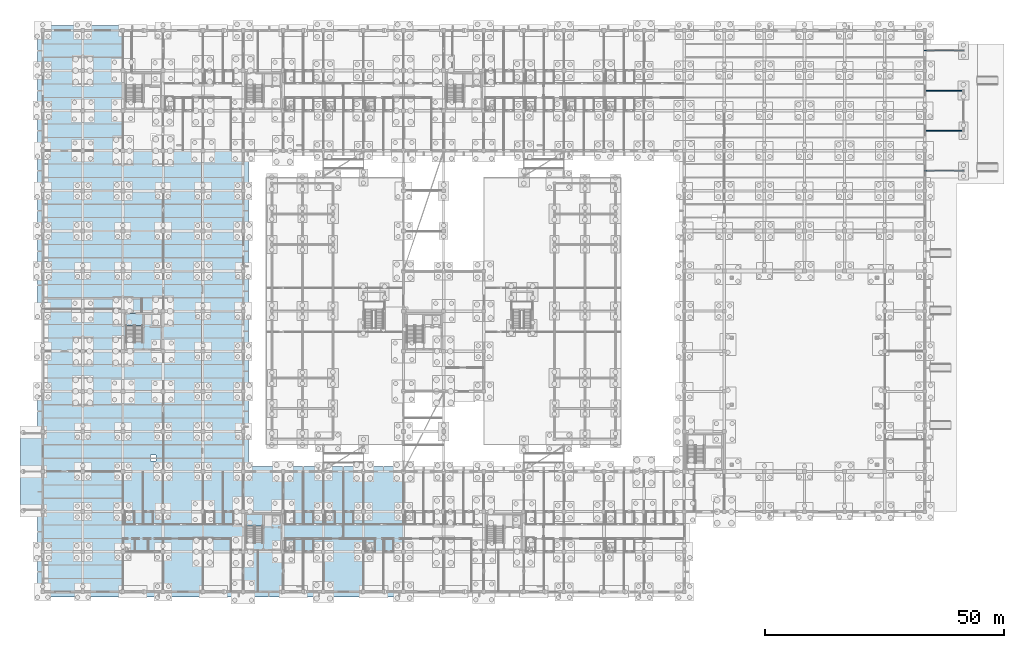
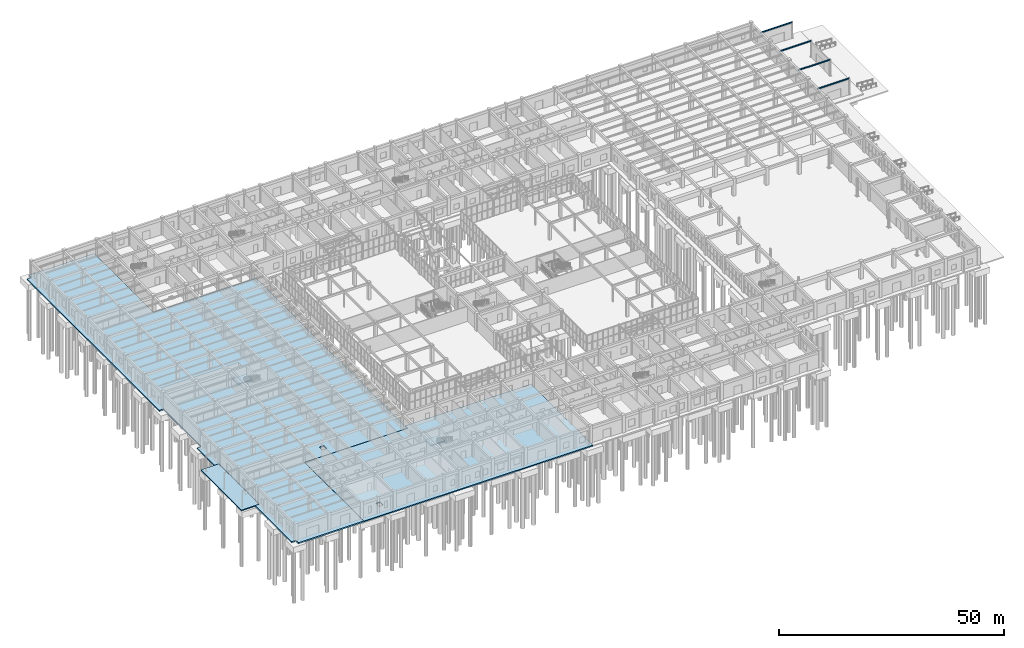
# One storey, part 135 of 192: 5 slabs, 4 beams, 2 elements without a shape of their own.
"""IFC4 building model written with IfcOpenShell, lengths in metres."""

from ifc_helpers import new_model, si_unit, direction, frame, origin, origin_2d, place, context, subcontext, project, spatial, polyline, i_section, outline, extrude, material, layer, layer_set, material_profile, profile_set, type_object, element, aggregate, save


model = new_model("IFC4")

# Units and contexts
model_context = context("Model", 3, precision=1e-05, world=origin(), true_north=direction((0.0, 1.0)))
body_context = subcontext(model_context, "Body", "Model", "MODEL_VIEW")
ifc_project = project(units=[si_unit("LENGTHUNIT", "METRE"), si_unit("AREAUNIT", "SQUARE_METRE"), si_unit("VOLUMEUNIT", "CUBIC_METRE"), si_unit("PLANEANGLEUNIT", "RADIAN"), si_unit("MASSUNIT", "GRAM", prefix="KILO")], contexts=[model_context])

# Site, building, storey
site_placement = place(None, origin())
site = spatial("IfcSite", under=ifc_project, at=site_placement, CompositionType="ELEMENT")
building_placement = place(site_placement, origin())
building = spatial("IfcBuilding", under=site, at=building_placement, Name="Trelvath General Hospital", CompositionType="ELEMENT")
storey_placement = place(building_placement, origin())
storey = spatial("IfcBuildingStorey", under=building, at=storey_placement, Name="L00", CompositionType="ELEMENT", Elevation=0.0)

# Beams
ifc_material_1 = material(Name="Steel S355", Category="steel")
ifc_material_profile = material_profile(ifc_material_1, i_section(OverallWidth=0.169921875, OverallDepth=0.360107421875, WebThickness=0.008056640625, FlangeThickness=0.0126953125, at=origin_2d()), Name="IPE360")
ifc_profile_set = profile_set([ifc_material_profile], Name="Steel S355")
beam_type = type_object("IfcBeamType", Name="CanopyBeam IPE360", PredefinedType="BEAM", material=ifc_profile_set)
for number, where, z_axis, x_axis, name in (
    (1, (184.699951171875, 88.199951171875, 4.320068359375), (1.0, 0.0, 0.0), (0.0, 1.0, 0.0), "Ambulance Canopy Beam Y=88.2m"),
    (2, (184.699951171875, 96.60009765625, 4.320068359375), (1.0, 0.0, 0.0), (0.0, 1.0, 0.0), "Ambulance Canopy Beam Y=96.6m"),
    (3, (184.699951171875, 105.0, 4.320068359375), (1.0, 0.0, 0.0), (0.0, 1.0, 0.0), "Ambulance Canopy Beam Y=105.0m"),
    (4, (184.699951171875, 113.39990234375, 4.320068359375), (1.0, 0.0, 0.0), (0.0, 1.0, 0.0), "Ambulance Canopy Beam Y=113.4m"),
):
    element("IfcBeam", number, at=place(storey_placement, frame(where, z_axis=z_axis, x_axis=x_axis)), inside=storey, type_object=beam_type, Name=name, PredefinedType="BEAM", context=body_context, shape_type="SweptSolid", body=[
        extrude(i_section(OverallWidth=0.169921875, OverallDepth=0.360107421875, WebThickness=0.008056640625, FlangeThickness=0.0126953125, at=origin_2d()), origin(), (0.0, 0.0, 1.0), 8.25),
    ])

# Slabs
ifc_material_2 = material(Name="Concrete C35/45", Category="concrete")
ifc_layer_1 = layer(ifc_material_2, 0.360107421875)
ifc_layer_set_1 = layer_set([ifc_layer_1], Name="Concrete C35/45")
slab_type_1 = type_object("IfcSlabType", Name="BaseSlab Imaging360", PredefinedType="BASESLAB", material=ifc_layer_set_1)
slab_1_placement = place(storey_placement, frame((0.0, 0.0, -0.360107421875)))
element("IfcSlab", 5, at=slab_1_placement, inside=storey, type_object=slab_type_1, Name="Floor Slab SL-L00-V4-D1", PredefinedType="BASESLAB", context=body_context, shape_type="SweptSolid", body=[
    extrude(outline(polyline([(16.800048828125, -1.10009765625), (0.0, -1.10009765625), (0.0, 0.0), (-1.10009765625, 0.0), (-1.10009765625, 16.179931640625), (0.0, 16.179931640625), (0.0, 34.219970703125), (-1.10009765625, 34.219970703125), (-1.10009765625, 42.0), (0.0, 42.0), (0.0, 58.800048828125), (-1.10009765625, 58.800048828125), (-1.10009765625, 117.60009765625), (0.0, 117.60009765625), (0.0, 118.699951171875), (16.800048828125, 118.699951171875), (16.800048828125, 117.6201171875), (16.780029296875, 117.6201171875), (16.800048828125, 117.60009765625), (16.800048828125, 92.39990234375), (42.0, 92.39990234375), (42.0, 92.3798828125), (43.14990234375, 92.3798828125), (43.14990234375, 25.219970703125), (42.0, 25.219970703125), (42.0, 25.199951171875), (16.800048828125, 25.199951171875), (16.800048828125, 0.0), (16.780029296875, 0.0), (16.800048828125, -0.02001953125), (16.800048828125, -1.10009765625)]), holes=[polyline([(22.60009765625, 27.39990234375), (23.699951171875, 27.39990234375), (23.699951171875, 28.699951171875), (22.60009765625, 28.699951171875), (22.60009765625, 27.39990234375)])]), origin(), (0.0, 0.0, 1.0), 0.360107421875),
])
ifc_material_3 = material(Name="Concrete C35/45", Category="concrete")
ifc_layer_2 = layer(ifc_material_3, 0.300048828125)
ifc_layer_set_2 = layer_set([ifc_layer_2], Name="Concrete C35/45")
slab_type_2 = type_object("IfcSlabType", Name="BaseSlab RC300", PredefinedType="BASESLAB", material=ifc_layer_set_2)
slab_2_placement = place(storey_placement, frame((0.0, 0.0, -0.300048828125)))
element("IfcSlab", 6, at=slab_2_placement, inside=storey, type_object=slab_type_2, Name="West Outpatient Drop-Off Base Slab", PredefinedType="BASESLAB", context=body_context, shape_type="SweptSolid", body=[
    extrude(outline(polyline([(-4.60009765625, 16.199951171875), (-0.02001953125, 16.199951171875), (-0.02001953125, 34.199951171875), (-4.60009765625, 34.199951171875), (-4.60009765625, 16.199951171875)])), origin(), (0.0, 0.0, 1.0), 0.300048828125),
])
slab_3_placement = place(storey_placement, frame((0.0, 0.0, -0.300048828125)))
element("IfcSlab", 7, at=slab_3_placement, inside=storey, type_object=slab_type_2, Name="Floor Slab SL-L00-V6-S1", PredefinedType="BASESLAB", context=body_context, shape_type="SweptSolid", body=[
    extrude(outline(polyline([(75.60009765625, -0.02001953125), (75.60009765625, -1.10009765625), (16.820068359375, -1.10009765625), (16.820068359375, 25.179931640625), (42.02001953125, 25.179931640625), (42.02001953125, 25.199951171875), (43.169921875, 25.199951171875), (43.169921875, 26.300048828125), (75.60009765625, 26.300048828125), (75.60009765625, 25.219970703125), (75.580078125, 25.219970703125), (75.60009765625, 25.199951171875), (75.60009765625, 0.0), (75.580078125, -0.02001953125), (75.60009765625, -0.02001953125)]), holes=[polyline([(22.60009765625, 2.199951171875), (23.699951171875, 2.199951171875), (23.699951171875, 3.5), (22.60009765625, 3.5), (22.60009765625, 2.199951171875)])]), origin(), (0.0, 0.0, 1.0), 0.300048828125),
])

# Stair, slab
ifc_material_4 = material(Name="Concrete C35/45", Category="concrete")
stair_type = type_object("IfcStairType", Name="Stair Stretcher480", PredefinedType="TWO_STRAIGHT_RUN_STAIR", material=ifc_material_4)
stair_1_placement = place(storey_placement, origin())
stair_1 = element("IfcStair", 8, at=stair_1_placement, inside=storey, type_object=stair_type, Name="Exit Stair ST4 L00", PredefinedType="TWO_STRAIGHT_RUN_STAIR")
ifc_material_5 = material(Name="Concrete C35/45", Category="concrete")
ifc_layer_3 = layer(ifc_material_5, 0.199951171875)
ifc_layer_set_3 = layer_set([ifc_layer_3], Name="Concrete C35/45")
slab_type_3 = type_object("IfcSlabType", Name="StairLanding 200", PredefinedType="LANDING", material=ifc_layer_set_3)
slab_4_placement = place(storey_placement, frame((0.0, 0.0, 2.199951171875)))
slab_4 = element("IfcSlab", 9, at=slab_4_placement, type_object=slab_type_3, Name="ST4-L00 landing 1", PredefinedType="LANDING", context=body_context, shape_type="SweptSolid", body=[
    extrude(outline(polyline([(42.56005859375, 13.840087890625), (46.239990234375, 13.840087890625), (46.239990234375, 16.340087890625), (42.56005859375, 16.340087890625), (42.56005859375, 13.840087890625)])), origin(), (0.0, 0.0, 1.0), 0.199951171875),
])
aggregate(stair_1, [slab_4])

stair_2_placement = place(storey_placement, origin())
stair_2 = element("IfcStair", 10, at=stair_2_placement, inside=storey, type_object=stair_type, Name="Exit Stair ST8 L00", PredefinedType="TWO_STRAIGHT_RUN_STAIR")
slab_5_placement = place(storey_placement, frame((0.0, 0.0, 2.199951171875)))
slab_5 = element("IfcSlab", 11, at=slab_5_placement, type_object=slab_type_3, Name="ST8-L00 landing 1", PredefinedType="LANDING", context=body_context, shape_type="SweptSolid", body=[
    extrude(outline(polyline([(17.360107421875, 55.840087890625), (21.0400390625, 55.840087890625), (21.0400390625, 58.340087890625), (17.360107421875, 58.340087890625), (17.360107421875, 55.840087890625)])), origin(), (0.0, 0.0, 1.0), 0.199951171875),
])
aggregate(stair_2, [slab_5])

save(model, "model.ifc")
